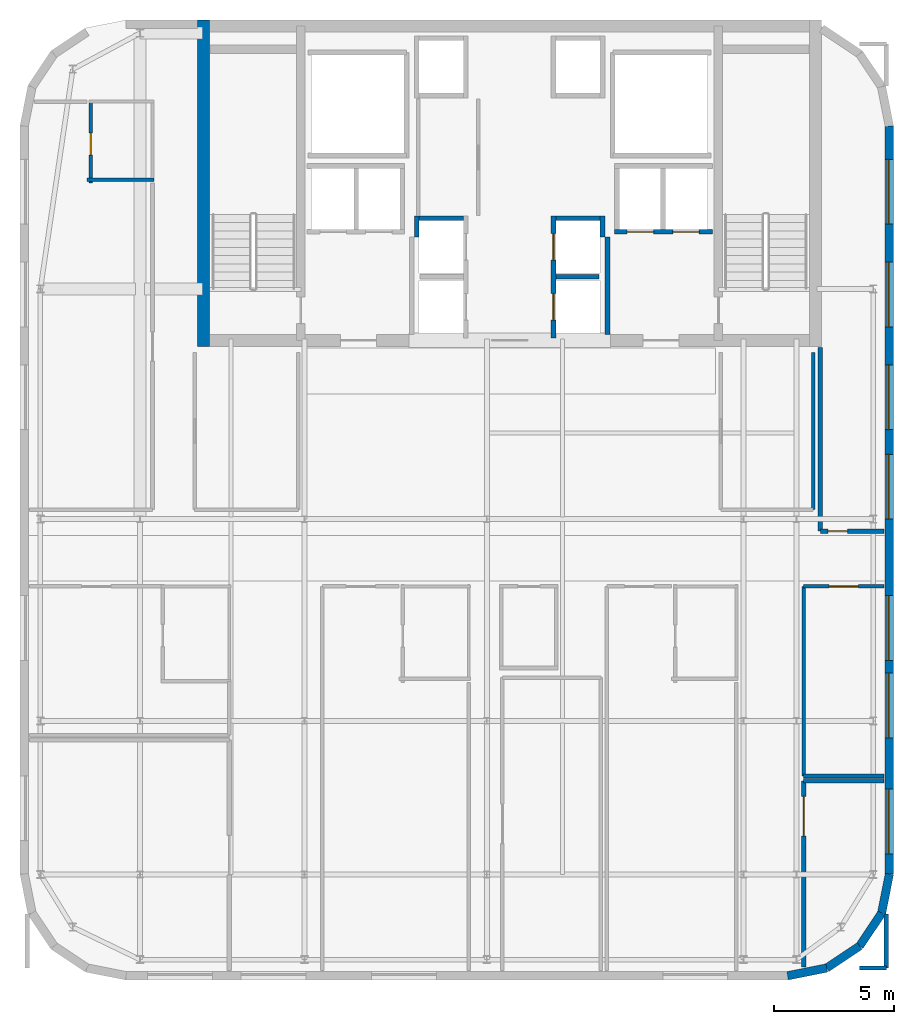
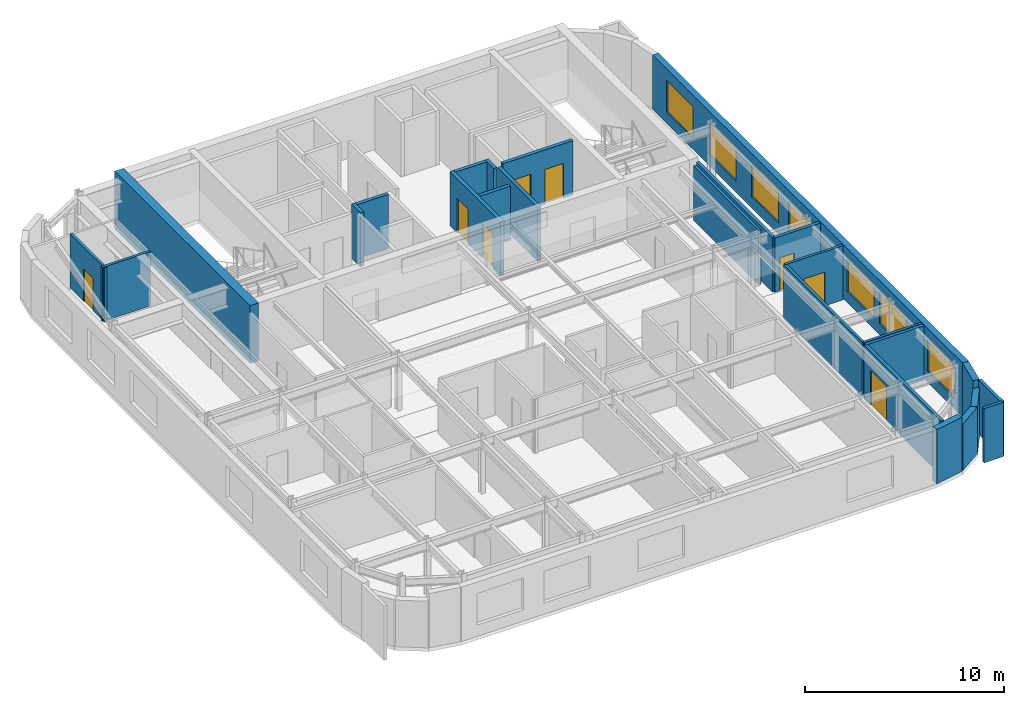
# One storey, part 8 of 12: 26 walls, 8 doors, 7 windows, 15 openings.
"""IFC4 building model written with IfcOpenShell, lengths in metres."""

from ifc_helpers import new_model, si_unit, direction, frame, frame_2d, origin, place, context, subcontext, project, spatial, rectangle, extrude, source, transform, mapped, material, layer, layer_set, type_object, type_shapes, element, fill, save


model = new_model("IFC4")

# Units and contexts
model_context = context("Model", 3, precision=1e-05, world=origin(), true_north=direction((0.0, 1.0)))
body_context = subcontext(model_context, "Body", "Model", "MODEL_VIEW")
ifc_project = project(units=[si_unit("LENGTHUNIT", "METRE"), si_unit("AREAUNIT", "SQUARE_METRE"), si_unit("VOLUMEUNIT", "CUBIC_METRE"), si_unit("PLANEANGLEUNIT", "RADIAN"), si_unit("MASSUNIT", "GRAM", prefix="KILO")], contexts=[model_context])

# Site, building, storey
site_placement = place(None, origin())
site = spatial("IfcSite", under=ifc_project, at=site_placement, CompositionType="ELEMENT")
building_placement = place(site_placement, origin())
building = spatial("IfcBuilding", under=site, at=building_placement, Name="Tolvann Quenvar Hotel", CompositionType="ELEMENT")
storey_placement = place(building_placement, frame((0.0, 0.0, 275.050048828125)))
storey = spatial("IfcBuildingStorey", under=building, at=storey_placement, Name="L73", CompositionType="ELEMENT", Elevation=275.050048828125)

# Walls
ifc_material_1 = material(Name="Concrete N50 (50 MPa)", Category="concrete")
ifc_layer_1 = layer(ifc_material_1, 0.5)
ifc_layer_set_1 = layer_set([ifc_layer_1], Name="Concrete N50 (50 MPa)")
wall_type_1 = type_object("IfcWallType", Name="WALL_CORE_500", PredefinedType="SHEAR", material=ifc_layer_set_1)
wall_1_placement = place(storey_placement, frame((10.25, 31.60009765625, 0.0), z_axis=(0.0, 0.0, 1.0), x_axis=(0.0, 1.0, 0.0)))
element("IfcWall", 1, at=wall_1_placement, inside=storey, type_object=wall_type_1, Name="Rear Core W Shear Wall (L73)", PredefinedType="SHEAR", context=body_context, shape_type="SweptSolid", body=[
    extrude(rectangle(XDim=13.599853515625, YDim=0.5, at=frame_2d((6.7998046875, 0.0))), origin(), (0.0, 0.0, 1.0), 3.550048828125),
])
ifc_material_2 = material(Name="Kiln-fired red and buff architectural clay brickwork and terracotta masonry", Category="masonry")
ifc_layer_2 = layer(ifc_material_2, 0.35009765625)
ifc_layer_set_2 = layer_set([ifc_layer_2], Name="Kiln-fired red and buff architectural clay brickwork and terracotta masonry")
wall_type_2 = type_object("IfcWallType", Name="WALL_EXT_BRICK_350", PredefinedType="SOLIDWALL", material=ifc_layer_set_2)
wall_2_placement = place(storey_placement, frame((34.582763671875, 5.375, 0.0), z_axis=(0.0, 0.0, 1.0), x_axis=(0.980794424524, 0.195044345786, 0.0)))
element("IfcWall", 2, at=wall_2_placement, inside=storey, type_object=wall_type_2, Name="Exterior Chicago Brick Wall L73-E05", PredefinedType="SOLIDWALL", context=body_context, shape_type="SweptSolid", body=[
    extrude(rectangle(XDim=1.664794921875, YDim=0.35009765625, at=frame_2d((0.83251953125, 0.0))), origin(), (0.0, 0.0, 1.0), 3.329833984375),
])
for number, where, z_axis, x_axis, name in (
    (3, (36.215576171875, 5.69970703125, 0.0), (0.0, 0.0, 1.0), (0.831434158098, 0.555623290322, 0.0), "Exterior Chicago Brick Wall L73-E06"),
    (4, (37.585205078125, 6.614990234375, 0.0), (0.0, 0.0, 1.0), (0.555520825599, 0.831502623162, 0.0), "Exterior Chicago Brick Wall L73-E07"),
):
    element("IfcWall", number, at=place(storey_placement, frame(where, z_axis=z_axis, x_axis=x_axis)), inside=storey, type_object=wall_type_2, Name=name, PredefinedType="SOLIDWALL", context=body_context, shape_type="SweptSolid", body=[
        extrude(rectangle(XDim=1.647216796875, YDim=0.35009765625, at=frame_2d((0.82373046875, 0.0))), origin(), (0.0, 0.0, 1.0), 2.85986328125),
    ])
wall_3_placement = place(storey_placement, frame((38.500244140625, 7.984619140625, 0.0), z_axis=(0.0, 0.0, 1.0), x_axis=(0.195072403631, 0.980788844421, 0.0)))
element("IfcWall", 5, at=wall_3_placement, inside=storey, type_object=wall_type_2, Name="Exterior Chicago Brick Wall L73-E08", PredefinedType="SOLIDWALL", context=body_context, shape_type="SweptSolid", body=[
    extrude(rectangle(XDim=1.66455078125, YDim=0.35009765625, at=frame_2d((0.832275390625, 0.0))), origin(), (0.0, 0.0, 1.0), 3.329833984375),
])

# Wall, openings, windows
wall_4_placement = place(storey_placement, frame((38.824951171875, 9.6171875, 0.0), z_axis=(0.0, 0.0, 1.0), x_axis=(0.0, 1.0, 0.0)))
wall_4 = element("IfcWall", 6, at=wall_4_placement, inside=storey, type_object=wall_type_2, Name="Exterior Chicago Brick Wall L73-E09", PredefinedType="SOLIDWALL", context=body_context, shape_type="SweptSolid", body=[
    extrude(rectangle(XDim=31.16552734375, YDim=0.35009765625, at=frame_2d((15.582763671875, 0.0))), origin(), (0.0, 0.0, 1.0), 3.329833984375),
])
opening_1_placement = place(wall_4_placement, frame((0.840087890625, 0.0, 0.679931640625)))
opening_1 = element("IfcOpeningElement", 7, at=opening_1_placement, cuts=wall_4, Name="Opening W-04", PredefinedType="OPENING", context=body_context, shape_type="SweptSolid", body=[
    extrude(rectangle(XDim=2.699951171875, YDim=1.949951171875, at=frame_2d((1.35009765625, 0.97509765625))), frame((0.0, 0.18505859375, 0.0), z_axis=(0.0, -1.0, 0.0), x_axis=(1.0, 0.0, 0.0)), (0.0, 0.0, 1.0), 0.3701171875),
])
opening_2_placement = place(wall_4_placement, frame((5.6708984375, 0.0, 0.679931640625)))
opening_2 = element("IfcOpeningElement", 8, at=opening_2_placement, cuts=wall_4, Name="Opening W-04", PredefinedType="OPENING", context=body_context, shape_type="SweptSolid", body=[
    extrude(rectangle(XDim=2.699951171875, YDim=1.949951171875, at=frame_2d((1.35009765625, 0.97509765625))), frame((0.0, 0.18505859375, 0.0), z_axis=(0.0, -1.0, 0.0), x_axis=(1.0, 0.0, 0.0)), (0.0, 0.0, 1.0), 0.3701171875),
])
opening_3_placement = place(wall_4_placement, frame((8.902099609375, 0.0, 0.679931640625)))
opening_3 = element("IfcOpeningElement", 9, at=opening_3_placement, cuts=wall_4, Name="Opening W-04", PredefinedType="OPENING", context=body_context, shape_type="SweptSolid", body=[
    extrude(rectangle(XDim=2.699951171875, YDim=1.949951171875, at=frame_2d((1.35009765625, 0.97509765625))), frame((0.0, 0.18505859375, 0.0), z_axis=(0.0, -1.0, 0.0), x_axis=(1.0, 0.0, 0.0)), (0.0, 0.0, 1.0), 0.3701171875),
])
opening_4_placement = place(wall_4_placement, frame((14.782958984375, 0.0, 0.679931640625)))
opening_4 = element("IfcOpeningElement", 10, at=opening_4_placement, cuts=wall_4, Name="Opening W-04", PredefinedType="OPENING", context=body_context, shape_type="SweptSolid", body=[
    extrude(rectangle(XDim=2.699951171875, YDim=1.949951171875, at=frame_2d((1.35009765625, 0.97509765625))), frame((0.0, 0.18505859375, 0.0), z_axis=(0.0, -1.0, 0.0), x_axis=(1.0, 0.0, 0.0)), (0.0, 0.0, 1.0), 0.3701171875),
])
opening_5_placement = place(wall_4_placement, frame((18.513916015625, 0.0, 0.679931640625)))
opening_5 = element("IfcOpeningElement", 11, at=opening_5_placement, cuts=wall_4, Name="Opening W-04", PredefinedType="OPENING", context=body_context, shape_type="SweptSolid", body=[
    extrude(rectangle(XDim=2.699951171875, YDim=1.949951171875, at=frame_2d((1.35009765625, 0.97509765625))), frame((0.0, 0.18505859375, 0.0), z_axis=(0.0, -1.0, 0.0), x_axis=(1.0, 0.0, 0.0)), (0.0, 0.0, 1.0), 0.3701171875),
])
opening_6_placement = place(wall_4_placement, frame((22.7939453125, 0.0, 0.679931640625)))
opening_6 = element("IfcOpeningElement", 12, at=opening_6_placement, cuts=wall_4, Name="Opening W-04", PredefinedType="OPENING", context=body_context, shape_type="SweptSolid", body=[
    extrude(rectangle(XDim=2.699951171875, YDim=1.949951171875, at=frame_2d((1.35009765625, 0.97509765625))), frame((0.0, 0.18505859375, 0.0), z_axis=(0.0, -1.0, 0.0), x_axis=(1.0, 0.0, 0.0)), (0.0, 0.0, 1.0), 0.3701171875),
])
opening_7_placement = place(wall_4_placement, frame((27.074951171875, 0.0, 0.679931640625)))
opening_7 = element("IfcOpeningElement", 13, at=opening_7_placement, cuts=wall_4, Name="Opening W-04", PredefinedType="OPENING", context=body_context, shape_type="SweptSolid", body=[
    extrude(rectangle(XDim=2.699951171875, YDim=1.949951171875, at=frame_2d((1.35009765625, 0.97509765625))), frame((0.0, 0.18505859375, 0.0), z_axis=(0.0, -1.0, 0.0), x_axis=(1.0, 0.0, 0.0)), (0.0, 0.0, 1.0), 0.3701171875),
])
ifc_material_3 = material(Name="Thermally broken bronze-anodised aluminium frame with double low-E glazing", Category="aluminium")
window_type = type_object("IfcWindowType", Name="WIN_STE_2700x2150", PartitioningType="TRIPLE_PANEL_HORIZONTAL", PredefinedType="WINDOW", material=ifc_material_3)
shared_shape_1 = source(origin(), body_context, "Body", "SweptSolid", [
    extrude(rectangle(XDim=2.699951171875, YDim=1.949951171875, at=frame_2d((1.35009765625, 0.97509765625))), frame((0.0, 0.090087890625, 0.0), z_axis=(0.0, -1.0, 0.0), x_axis=(1.0, 0.0, 0.0)), (0.0, 0.0, 1.0), 0.06005859375),
])
type_shapes(window_type, [shared_shape_1])
window_1_placement = place(opening_1_placement, origin())
window_1 = element("IfcWindow", 14, at=window_1_placement, inside=storey, type_object=window_type, Name="Chicago Window W-04 (EW-L73-E09-W01)", OverallHeight=1.949951171875, OverallWidth=2.699951171875, PartitioningType="TRIPLE_PANEL_HORIZONTAL", PredefinedType="WINDOW", context=body_context, shape_type="MappedRepresentation", body=[
    mapped(shared_shape_1, transform((0.0, 0.0, 0.0), x_axis=(1.0, 0.0, 0.0), y_axis=(0.0, 1.0, 0.0), z_axis=(0.0, 0.0, 1.0), scale=1.0)),
])
fill(opening_1, window_1)
window_2_placement = place(opening_2_placement, origin())
window_2 = element("IfcWindow", 15, at=window_2_placement, inside=storey, type_object=window_type, Name="Chicago Window W-04 (EW-L73-E09-W02)", OverallHeight=1.949951171875, OverallWidth=2.699951171875, PartitioningType="TRIPLE_PANEL_HORIZONTAL", PredefinedType="WINDOW", context=body_context, shape_type="MappedRepresentation", body=[
    mapped(shared_shape_1, transform((0.0, 0.0, 0.0), x_axis=(1.0, 0.0, 0.0), y_axis=(0.0, 1.0, 0.0), z_axis=(0.0, 0.0, 1.0), scale=1.0)),
])
fill(opening_2, window_2)
window_3_placement = place(opening_3_placement, origin())
window_3 = element("IfcWindow", 16, at=window_3_placement, inside=storey, type_object=window_type, Name="Chicago Window W-04 (EW-L73-E09-W03)", OverallHeight=1.949951171875, OverallWidth=2.699951171875, PartitioningType="TRIPLE_PANEL_HORIZONTAL", PredefinedType="WINDOW", context=body_context, shape_type="MappedRepresentation", body=[
    mapped(shared_shape_1, transform((0.0, 0.0, 0.0), x_axis=(1.0, 0.0, 0.0), y_axis=(0.0, 1.0, 0.0), z_axis=(0.0, 0.0, 1.0), scale=1.0)),
])
fill(opening_3, window_3)
window_4_placement = place(opening_4_placement, origin())
window_4 = element("IfcWindow", 17, at=window_4_placement, inside=storey, type_object=window_type, Name="Chicago Window W-04 (EW-L73-E09-W04)", OverallHeight=1.949951171875, OverallWidth=2.699951171875, PartitioningType="TRIPLE_PANEL_HORIZONTAL", PredefinedType="WINDOW", context=body_context, shape_type="MappedRepresentation", body=[
    mapped(shared_shape_1, transform((0.0, 0.0, 0.0), x_axis=(1.0, 0.0, 0.0), y_axis=(0.0, 1.0, 0.0), z_axis=(0.0, 0.0, 1.0), scale=1.0)),
])
fill(opening_4, window_4)
window_5_placement = place(opening_5_placement, origin())
window_5 = element("IfcWindow", 18, at=window_5_placement, inside=storey, type_object=window_type, Name="Chicago Window W-04 (EW-L73-E09-W05)", OverallHeight=1.949951171875, OverallWidth=2.699951171875, PartitioningType="TRIPLE_PANEL_HORIZONTAL", PredefinedType="WINDOW", context=body_context, shape_type="MappedRepresentation", body=[
    mapped(shared_shape_1, transform((0.0, 0.0, 0.0), x_axis=(1.0, 0.0, 0.0), y_axis=(0.0, 1.0, 0.0), z_axis=(0.0, 0.0, 1.0), scale=1.0)),
])
fill(opening_5, window_5)
window_6_placement = place(opening_6_placement, origin())
window_6 = element("IfcWindow", 19, at=window_6_placement, inside=storey, type_object=window_type, Name="Chicago Window W-04 (EW-L73-E09-W06)", OverallHeight=1.949951171875, OverallWidth=2.699951171875, PartitioningType="TRIPLE_PANEL_HORIZONTAL", PredefinedType="WINDOW", context=body_context, shape_type="MappedRepresentation", body=[
    mapped(shared_shape_1, transform((0.0, 0.0, 0.0), x_axis=(1.0, 0.0, 0.0), y_axis=(0.0, 1.0, 0.0), z_axis=(0.0, 0.0, 1.0), scale=1.0)),
])
fill(opening_6, window_6)
window_7_placement = place(opening_7_placement, origin())
window_7 = element("IfcWindow", 20, at=window_7_placement, inside=storey, type_object=window_type, Name="Chicago Window W-04 (EW-L73-E09-W07)", OverallHeight=1.949951171875, OverallWidth=2.699951171875, PartitioningType="TRIPLE_PANEL_HORIZONTAL", PredefinedType="WINDOW", context=body_context, shape_type="MappedRepresentation", body=[
    mapped(shared_shape_1, transform((0.0, 0.0, 0.0), x_axis=(1.0, 0.0, 0.0), y_axis=(0.0, 1.0, 0.0), z_axis=(0.0, 0.0, 1.0), scale=1.0)),
])
fill(opening_7, window_7)

# Walls
ifc_material_4 = material(Name="Acoustic twin-stud fire-rated gypsum plasterboard partition")
ifc_layer_3 = layer(ifc_material_4, 0.179931640625)
ifc_layer_set_3 = layer_set([ifc_layer_3], Name="Acoustic twin-stud fire-rated gypsum plasterboard partition")
wall_type_3 = type_object("IfcWallType", Name="WALL_PART_ACOUSTIC_180", PredefinedType="PARTITIONING", material=ifc_layer_set_3)
wall_5_placement = place(storey_placement, frame((37.5849609375, 5.699951171875, 0.0), z_axis=(0.0, 0.0, 1.0), x_axis=(1.0, 0.0, 0.0)))
element("IfcWall", 21, at=wall_5_placement, inside=storey, type_object=wall_type_3, Name="Interior Partition PT-SPC-L73-PSE-STD-S", PredefinedType="PARTITIONING", context=body_context, shape_type="SweptSolid", body=[
    extrude(rectangle(XDim=1.114990234375, YDim=0.179931640625, at=frame_2d((0.5576171875, 0.0))), origin(), (0.0, 0.0, 1.0), 3.329833984375),
])
wall_6_placement = place(storey_placement, frame((35.25, 13.5, 0.0), z_axis=(0.0, 0.0, 1.0), x_axis=(1.0, 0.0, 0.0)))
element("IfcWall", 22, at=wall_6_placement, inside=storey, type_object=wall_type_3, Name="Interior Partition PT-SPC-L73-PSE-STD-N", PredefinedType="PARTITIONING", context=body_context, shape_type="SweptSolid", body=[
    extrude(rectangle(XDim=3.344970703125, YDim=0.179931640625, at=frame_2d((1.67236328125, 0.0))), origin(), (0.0, 0.0, 1.0), 3.329833984375),
])

# Wall, opening, door
wall_7_placement = place(storey_placement, frame((35.25, 5.741943359375, 0.0), z_axis=(0.0, 0.0, 1.0), x_axis=(0.0, 1.0, 0.0)))
wall_7 = element("IfcWall", 23, at=wall_7_placement, inside=storey, type_object=wall_type_3, Name="Interior Partition PT-SPC-L73-PSE-STD-W", PredefinedType="PARTITIONING", context=body_context, shape_type="SweptSolid", body=[
    extrude(rectangle(XDim=7.758056640625, YDim=0.179931640625, at=frame_2d((3.87890625, 0.0))), origin(), (0.0, 0.0, 1.0), 3.329833984375),
])
opening_8_placement = place(wall_7_placement, frame((5.4541015625, 0.0, 0.0)))
opening_8 = element("IfcOpeningElement", 24, at=opening_8_placement, cuts=wall_7, Name="Opening AD-01", PredefinedType="OPENING", context=body_context, shape_type="SweptSolid", body=[
    extrude(rectangle(XDim=1.64990234375, YDim=2.14990234375, at=frame_2d((0.824951171875, 1.074951171875))), frame((0.0, 0.10009765625, 0.0), z_axis=(0.0, -1.0, 0.0), x_axis=(1.0, 0.0, 0.0)), (0.0, 0.0, 1.0), 0.199951171875),
])
ifc_material_5 = material(Name="Solid-core American oak acoustic fire door leaf in steel frame", Category="steel")
door_type_1 = type_object("IfcDoorType", Name="DOOR_SALON_1650", OperationType="NOTDEFINED", PredefinedType="DOOR", material=ifc_material_5)
shared_shape_2 = source(origin(), body_context, "Body", "SweptSolid", [
    extrude(rectangle(XDim=1.64990234375, YDim=2.14990234375, at=frame_2d((0.824951171875, 1.074951171875))), frame((0.0, 0.02490234375, 0.0), z_axis=(0.0, -1.0, 0.0), x_axis=(1.0, 0.0, 0.0)), (0.0, 0.0, 1.0), 0.050048828125),
])
type_shapes(door_type_1, [shared_shape_2])
door_1_placement = place(opening_8_placement, origin())
door_1 = element("IfcDoor", 25, at=door_1_placement, inside=storey, type_object=door_type_1, Name="Interior Door DOOR-SPC-L73-PSE-STD", OperationType="DOUBLE_DOOR_SINGLE_SWING", OverallHeight=2.14990234375, OverallWidth=1.64990234375, PredefinedType="DOOR", context=body_context, shape_type="MappedRepresentation", body=[
    mapped(shared_shape_2, transform((0.0, 0.0, 0.0), x_axis=(1.0, 0.0, 0.0), y_axis=(0.0, 1.0, 0.0), z_axis=(0.0, 0.0, 1.0), scale=1.0)),
])
fill(opening_8, door_1)

# Wall
wall_8_placement = place(storey_placement, frame((38.699951171875, 5.699951171875, 0.0), z_axis=(0.0, 0.0, 1.0), x_axis=(0.0, 1.0, 0.0)))
element("IfcWall", 26, at=wall_8_placement, inside=storey, type_object=wall_type_3, Name="Interior Partition PT-SPC-L73-PSE-STD-E", PredefinedType="PARTITIONING", context=body_context, shape_type="SweptSolid", body=[
    extrude(rectangle(XDim=2.2451171875, YDim=0.179931640625, at=frame_2d((1.12255859375, 0.0))), origin(), (0.0, 0.0, 1.0), 3.329833984375),
])

# Wall, opening, door
wall_9_placement = place(storey_placement, frame((35.949951171875, 23.89990234375, 0.0), z_axis=(0.0, 0.0, 1.0), x_axis=(1.0, 0.0, 0.0)))
wall_9 = element("IfcWall", 27, at=wall_9_placement, inside=storey, type_object=wall_type_3, Name="Interior Partition PT-SPC-L73-LNGE-S", PredefinedType="PARTITIONING", context=body_context, shape_type="SweptSolid", body=[
    extrude(rectangle(XDim=2.64501953125, YDim=0.179931640625, at=frame_2d((1.322509765625, 0.0))), origin(), (0.0, 0.0, 1.0), 3.329833984375),
])
opening_9_placement = place(wall_9_placement, frame((0.3125, 0.0, 0.0)))
opening_9 = element("IfcOpeningElement", 28, at=opening_9_placement, cuts=wall_9, Name="Opening HD-02", PredefinedType="OPENING", context=body_context, shape_type="SweptSolid", body=[
    extrude(rectangle(XDim=0.820068359375, YDim=2.010009765625, at=frame_2d((0.41015625, 1.0048828125))), frame((0.0, 0.10009765625, 0.0), z_axis=(0.0, -1.0, 0.0), x_axis=(1.0, 0.0, 0.0)), (0.0, 0.0, 1.0), 0.199951171875),
])
ifc_material_6 = material(Name="Pressed galvanised steel fire-rated door set", Category="steel")
door_type_2 = type_object("IfcDoorType", Name="DOOR_STORE_820", OperationType="NOTDEFINED", PredefinedType="DOOR", material=ifc_material_6)
shared_shape_3 = source(origin(), body_context, "Body", "SweptSolid", [
    extrude(rectangle(XDim=0.820068359375, YDim=2.010009765625, at=frame_2d((0.41015625, 1.0048828125))), frame((0.0, 0.02490234375, 0.0), z_axis=(0.0, -1.0, 0.0), x_axis=(1.0, 0.0, 0.0)), (0.0, 0.0, 1.0), 0.050048828125),
])
type_shapes(door_type_2, [shared_shape_3])
door_2_placement = place(opening_9_placement, origin())
door_2 = element("IfcDoor", 29, at=door_2_placement, inside=storey, type_object=door_type_2, Name="Interior Door DOOR-SPC-L73-LNGE", OperationType="SINGLE_SWING_RIGHT", OverallHeight=2.010009765625, OverallWidth=0.820068359375, PredefinedType="DOOR", context=body_context, shape_type="MappedRepresentation", body=[
    mapped(shared_shape_3, transform((0.0, 0.0, 0.0), x_axis=(1.0, 0.0, 0.0), y_axis=(0.0, 1.0, 0.0), z_axis=(0.0, 0.0, 1.0), scale=1.0)),
])
fill(opening_9, door_2)

# Wall
wall_10_placement = place(storey_placement, frame((35.949951171875, 23.89990234375, 0.0), z_axis=(0.0, 0.0, 1.0), x_axis=(0.0, 1.0, 0.0)))
element("IfcWall", 30, at=wall_10_placement, inside=storey, type_object=wall_type_3, Name="Interior Partition PT-SPC-L73-LNGE-W", PredefinedType="PARTITIONING", context=body_context, shape_type="SweptSolid", body=[
    extrude(rectangle(XDim=7.64501953125, YDim=0.179931640625, at=frame_2d((3.822509765625, 0.0))), origin(), (0.0, 0.0, 1.0), 3.329833984375),
])

# Wall, opening, door
ifc_layer_4 = layer(ifc_material_4, 0.14990234375)
ifc_layer_set_4 = layer_set([ifc_layer_4], Name="Acoustic twin-stud fire-rated gypsum plasterboard partition")
wall_type_4 = type_object("IfcWallType", Name="WALL_PART_SUITE_150", PredefinedType="PARTITIONING", material=ifc_layer_set_4)
wall_11_placement = place(storey_placement, frame((5.550048828125, 38.39990234375, 0.0), z_axis=(0.0, 0.0, 1.0), x_axis=(0.0, 1.0, 0.0)))
wall_11 = element("IfcWall", 31, at=wall_11_placement, inside=storey, type_object=wall_type_4, Name="Interior Partition PT-SPC-L73-NW-ENS-ENT", PredefinedType="PARTITIONING", context=body_context, shape_type="SweptSolid", body=[
    extrude(rectangle(XDim=3.47021484375, YDim=0.14990234375, at=frame_2d((1.735107421875, 0.0))), origin(), (0.0, 0.0, 1.0), 3.329833984375),
])
opening_10_placement = place(wall_11_placement, frame((1.1650390625, 0.0, 0.0)))
opening_10 = element("IfcOpeningElement", 32, at=opening_10_placement, cuts=wall_11, Name="Opening WD-01", PredefinedType="OPENING", context=body_context, shape_type="SweptSolid", body=[
    extrude(rectangle(XDim=0.919921875, YDim=2.010009765625, at=frame_2d((0.4599609375, 1.0048828125))), frame((0.0, 0.0849609375, 0.0), z_axis=(0.0, -1.0, 0.0), x_axis=(1.0, 0.0, 0.0)), (0.0, 0.0, 1.0), 0.169921875),
])
door_type_3 = type_object("IfcDoorType", Name="DOOR_WC_920", OperationType="NOTDEFINED", PredefinedType="DOOR", material=ifc_material_5)
shared_shape_4 = source(origin(), body_context, "Body", "SweptSolid", [
    extrude(rectangle(XDim=0.919921875, YDim=2.010009765625, at=frame_2d((0.4599609375, 1.0048828125))), frame((0.0, 0.02490234375, 0.0), z_axis=(0.0, -1.0, 0.0), x_axis=(1.0, 0.0, 0.0)), (0.0, 0.0, 1.0), 0.050048828125),
])
type_shapes(door_type_3, [shared_shape_4])
door_3_placement = place(opening_10_placement, origin())
door_3 = element("IfcDoor", 33, at=door_3_placement, inside=storey, type_object=door_type_3, Name="Interior Door DOOR-SPC-L73-NW-ENS", OperationType="SINGLE_SWING_RIGHT", OverallHeight=2.010009765625, OverallWidth=0.919921875, PredefinedType="DOOR", context=body_context, shape_type="MappedRepresentation", body=[
    mapped(shared_shape_4, transform((0.0, 0.0, 0.0), x_axis=(1.0, 0.0, 0.0), y_axis=(0.0, 1.0, 0.0), z_axis=(0.0, 0.0, 1.0), scale=1.0)),
])
fill(opening_10, door_3)

# Walls
wall_12_placement = place(storey_placement, frame((5.39990234375, 38.550048828125, 0.0), z_axis=(0.0, 0.0, 1.0), x_axis=(1.0, 0.0, 0.0)))
element("IfcWall", 34, at=wall_12_placement, inside=storey, type_object=wall_type_4, Name="Interior Partition PT-SPC-L73-NW-ENS-S", PredefinedType="PARTITIONING", context=body_context, shape_type="SweptSolid", body=[
    extrude(rectangle(XDim=2.7900390625, YDim=0.14990234375, at=frame_2d((1.39501953125, 0.0))), origin(), (0.0, 0.0, 1.0), 3.329833984375),
])
wall_13_placement = place(storey_placement, frame((35.25, 13.699951171875, 0.0), z_axis=(0.0, 0.0, 1.0), x_axis=(1.0, 0.0, 0.0)))
element("IfcWall", 35, at=wall_13_placement, inside=storey, type_object=wall_type_4, Name="Interior Partition PT-SPC-L73-PSE-DRS-S", PredefinedType="PARTITIONING", context=body_context, shape_type="SweptSolid", body=[
    extrude(rectangle(XDim=3.344970703125, YDim=0.14990234375, at=frame_2d((1.67236328125, 0.0))), origin(), (0.0, 0.0, 1.0), 3.329833984375),
])

# Wall, opening, door
wall_14_placement = place(storey_placement, frame((35.25, 21.60009765625, 0.0), z_axis=(0.0, 0.0, 1.0), x_axis=(1.0, 0.0, 0.0)))
wall_14 = element("IfcWall", 36, at=wall_14_placement, inside=storey, type_object=wall_type_4, Name="Interior Partition PT-SPC-L73-PSE-DRS-N", PredefinedType="PARTITIONING", context=body_context, shape_type="SweptSolid", body=[
    extrude(rectangle(XDim=3.344970703125, YDim=0.14990234375, at=frame_2d((1.67236328125, 0.0))), origin(), (0.0, 0.0, 1.0), 3.329833984375),
])
opening_11_placement = place(wall_14_placement, frame((1.0625, 0.0, 0.0)))
opening_11 = element("IfcOpeningElement", 37, at=opening_11_placement, cuts=wall_14, Name="Opening SD-02", PredefinedType="OPENING", context=body_context, shape_type="SweptSolid", body=[
    extrude(rectangle(XDim=1.219970703125, YDim=2.080078125, at=frame_2d((0.60986328125, 1.0400390625))), frame((0.0, 0.0849609375, 0.0), z_axis=(0.0, -1.0, 0.0), x_axis=(1.0, 0.0, 0.0)), (0.0, 0.0, 1.0), 0.169921875),
])
door_type_4 = type_object("IfcDoorType", Name="DOOR_VIP_1220", OperationType="NOTDEFINED", PredefinedType="DOOR", material=ifc_material_5)
shared_shape_5 = source(origin(), body_context, "Body", "SweptSolid", [
    extrude(rectangle(XDim=1.219970703125, YDim=2.080078125, at=frame_2d((0.60986328125, 1.0400390625))), frame((0.0, 0.02490234375, 0.0), z_axis=(0.0, -1.0, 0.0), x_axis=(1.0, 0.0, 0.0)), (0.0, 0.0, 1.0), 0.050048828125),
])
type_shapes(door_type_4, [shared_shape_5])
door_4_placement = place(opening_11_placement, origin())
door_4 = element("IfcDoor", 38, at=door_4_placement, inside=storey, type_object=door_type_4, Name="Interior Door DOOR-SPC-L73-PSE-DRS", OperationType="SINGLE_SWING_LEFT", OverallHeight=2.080078125, OverallWidth=1.219970703125, PredefinedType="DOOR", context=body_context, shape_type="MappedRepresentation", body=[
    mapped(shared_shape_5, transform((0.0, 0.0, 0.0), x_axis=(1.0, 0.0, 0.0), y_axis=(0.0, 1.0, 0.0), z_axis=(0.0, 0.0, 1.0), scale=1.0)),
])
fill(opening_11, door_4)

# Walls
wall_15_placement = place(storey_placement, frame((35.25, 13.699951171875, 0.0), z_axis=(0.0, 0.0, 1.0), x_axis=(0.0, 1.0, 0.0)))
element("IfcWall", 39, at=wall_15_placement, inside=storey, type_object=wall_type_4, Name="Interior Partition PT-SPC-L73-PSE-DRS-W", PredefinedType="PARTITIONING", context=body_context, shape_type="SweptSolid", body=[
    extrude(rectangle(XDim=7.900146484375, YDim=0.14990234375, at=frame_2d((3.9501953125, 0.0))), origin(), (0.0, 0.0, 1.0), 3.329833984375),
])
wall_16_placement = place(storey_placement, frame((35.64990234375, 24.800048828125, 0.0), z_axis=(0.0, 0.0, 1.0), x_axis=(0.0, 1.0, 0.0)))
element("IfcWall", 40, at=wall_16_placement, inside=storey, type_object=wall_type_4, Name="Interior Partition PT-SPC-L73-HSK-E", PredefinedType="PARTITIONING", context=body_context, shape_type="SweptSolid", body=[
    extrude(rectangle(XDim=6.550048828125, YDim=0.14990234375, at=frame_2d((3.27490234375, 0.0))), origin(), (0.0, 0.0, 1.0), 3.329833984375),
])
ifc_material_7 = material(Name="Concrete N40 (40 MPa)", Category="concrete")
ifc_layer_5 = layer(ifc_material_7, 0.199951171875)
ifc_layer_set_5 = layer_set([ifc_layer_5], Name="Concrete N40 (40 MPa)")
wall_type_5 = type_object("IfcWallType", Name="WALL_SHAFT_200", PredefinedType="SOLIDWALL", material=ifc_layer_set_5)
wall_17_placement = place(storey_placement, frame((27.080078125, 32.10400390625, 0.0), z_axis=(0.0, 0.0, 1.0), x_axis=(0.0, 1.0, 0.0)))
element("IfcWall", 41, at=wall_17_placement, inside=storey, type_object=wall_type_5, Name="Firefighting Lobby E Inner Fire Wall (L73)", PredefinedType="SOLIDWALL", context=body_context, shape_type="SweptSolid", body=[
    extrude(rectangle(XDim=4.0458984375, YDim=0.199951171875, at=frame_2d((2.02294921875, 0.0))), origin(), (0.0, 0.0, 1.0), 3.329833984375),
])
wall_18_placement = place(storey_placement, frame((19.1298828125, 36.159912109375, 0.0), z_axis=(0.0, 0.0, 1.0), x_axis=(0.0, 1.0, 0.0)))
element("IfcWall", 42, at=wall_18_placement, inside=storey, type_object=wall_type_5, Name="Lift Bank E21.1C1 Hoistway Rear Wall (L73)", PredefinedType="SOLIDWALL", context=body_context, shape_type="SweptSolid", body=[
    extrude(rectangle(XDim=0.880126953125, YDim=0.199951171875, at=frame_2d((0.43994140625, 0.0))), origin(), (0.0, 0.0, 1.0), 3.329833984375),
])
wall_19_placement = place(storey_placement, frame((19.22998046875, 36.93994140625, 0.0), z_axis=(0.0, 0.0, 1.0), x_axis=(1.0, 0.0, 0.0)))
element("IfcWall", 43, at=wall_19_placement, inside=storey, type_object=wall_type_5, Name="Lift Bank E21.1C1 Hoistway Cheek Wall 2 (L73)", PredefinedType="SOLIDWALL", context=body_context, shape_type="SweptSolid", body=[
    extrude(rectangle(XDim=1.840087890625, YDim=0.199951171875, at=frame_2d((0.919921875, 0.0))), origin(), (0.0, 0.0, 1.0), 3.329833984375),
])

# Wall, openings, doors
wall_20_placement = place(storey_placement, frame((27.375, 36.3798828125, 0.0), z_axis=(0.0, 0.0, 1.0), x_axis=(1.0, 0.0, 0.0)))
wall_20 = element("IfcWall", 44, at=wall_20_placement, inside=storey, type_object=wall_type_5, Name="Lift Bank SEC1 Hoistway Front Wall (L73)", PredefinedType="SOLIDWALL", context=body_context, shape_type="SweptSolid", body=[
    extrude(rectangle(XDim=4.074951171875, YDim=0.199951171875, at=frame_2d((2.03759765625, 0.0))), origin(), (0.0, 0.0, 1.0), 3.329833984375),
])
opening_12_placement = place(wall_20_placement, frame((0.52490234375, 0.0, 0.0)))
opening_12 = element("IfcOpeningElement", 45, at=opening_12_placement, cuts=wall_20, Name="Opening LD-01", PredefinedType="OPENING", context=body_context, shape_type="SweptSolid", body=[
    extrude(rectangle(XDim=1.10009765625, YDim=2.1201171875, at=frame_2d((0.550048828125, 1.06005859375))), frame((0.0, 0.10986328125, 0.0), z_axis=(0.0, -1.0, 0.0), x_axis=(1.0, 0.0, 0.0)), (0.0, 0.0, 1.0), 0.219970703125),
])
opening_13_placement = place(wall_20_placement, frame((2.425048828125, 0.0, 0.0)))
opening_13 = element("IfcOpeningElement", 46, at=opening_13_placement, cuts=wall_20, Name="Opening LD-01", PredefinedType="OPENING", context=body_context, shape_type="SweptSolid", body=[
    extrude(rectangle(XDim=1.10009765625, YDim=2.1201171875, at=frame_2d((0.550048828125, 1.06005859375))), frame((0.0, 0.10986328125, 0.0), z_axis=(0.0, -1.0, 0.0), x_axis=(1.0, 0.0, 0.0)), (0.0, 0.0, 1.0), 0.219970703125),
])
ifc_material_8 = material(Name="Brushed 316 stainless steel automatic sliding lift landing door", Category="steel")
door_type_5 = type_object("IfcDoorType", Name="DOOR_LIFT_SLIDE_1100", OperationType="NOTDEFINED", PredefinedType="DOOR", material=ifc_material_8)
shared_shape_6 = source(origin(), body_context, "Body", "SweptSolid", [
    extrude(rectangle(XDim=1.10009765625, YDim=2.1201171875, at=frame_2d((0.550048828125, 1.06005859375))), frame((0.0, 0.02490234375, 0.0), z_axis=(0.0, -1.0, 0.0), x_axis=(1.0, 0.0, 0.0)), (0.0, 0.0, 1.0), 0.050048828125),
])
type_shapes(door_type_5, [shared_shape_6])
door_5_placement = place(opening_12_placement, origin())
door_5 = element("IfcDoor", 47, at=door_5_placement, inside=storey, type_object=door_type_5, Name="Lift SV-2 Sliding Landing Door (L73)", OperationType="SLIDING_TO_LEFT", OverallHeight=2.1201171875, OverallWidth=1.10009765625, PredefinedType="DOOR", context=body_context, shape_type="MappedRepresentation", body=[
    mapped(shared_shape_6, transform((0.0, 0.0, 0.0), x_axis=(1.0, 0.0, 0.0), y_axis=(0.0, 1.0, 0.0), z_axis=(0.0, 0.0, 1.0), scale=1.0)),
])
fill(opening_12, door_5)
door_6_placement = place(opening_13_placement, origin())
door_6 = element("IfcDoor", 48, at=door_6_placement, inside=storey, type_object=door_type_5, Name="Lift FF-2 Sliding Landing Door (L73)", OperationType="SLIDING_TO_RIGHT", OverallHeight=2.1201171875, OverallWidth=1.10009765625, PredefinedType="DOOR", context=body_context, shape_type="MappedRepresentation", body=[
    mapped(shared_shape_6, transform((0.0, 0.0, 0.0), x_axis=(1.0, 0.0, 0.0), y_axis=(0.0, 1.0, 0.0), z_axis=(0.0, 0.0, 1.0), scale=1.0)),
])
fill(opening_13, door_6)

wall_21_placement = place(storey_placement, frame((24.830078125, 31.9599609375, 0.0), z_axis=(0.0, 0.0, 1.0), x_axis=(0.0, 1.0, 0.0)))
wall_21 = element("IfcWall", 49, at=wall_21_placement, inside=storey, type_object=wall_type_5, Name="Lift Bank W24.9C1 Hoistway Front Wall (L73)", PredefinedType="SOLIDWALL", context=body_context, shape_type="SweptSolid", body=[
    extrude(rectangle(XDim=5.080078125, YDim=0.199951171875, at=frame_2d((2.5400390625, 0.0))), origin(), (0.0, 0.0, 1.0), 3.329833984375),
])
opening_14_placement = place(wall_21_placement, frame((0.739990234375, 0.0, 0.0)))
opening_14 = element("IfcOpeningElement", 50, at=opening_14_placement, cuts=wall_21, Name="Opening LD-01", PredefinedType="OPENING", context=body_context, shape_type="SweptSolid", body=[
    extrude(rectangle(XDim=1.10009765625, YDim=2.1201171875, at=frame_2d((0.550048828125, 1.06005859375))), frame((0.0, 0.10986328125, 0.0), z_axis=(0.0, -1.0, 0.0), x_axis=(1.0, 0.0, 0.0)), (0.0, 0.0, 1.0), 0.219970703125),
])
opening_15_placement = place(wall_21_placement, frame((3.239990234375, 0.0, 0.0)))
opening_15 = element("IfcOpeningElement", 51, at=opening_15_placement, cuts=wall_21, Name="Opening LD-01", PredefinedType="OPENING", context=body_context, shape_type="SweptSolid", body=[
    extrude(rectangle(XDim=1.10009765625, YDim=2.1201171875, at=frame_2d((0.550048828125, 1.06005859375))), frame((0.0, 0.10986328125, 0.0), z_axis=(0.0, -1.0, 0.0), x_axis=(1.0, 0.0, 0.0)), (0.0, 0.0, 1.0), 0.219970703125),
])
door_7_placement = place(opening_14_placement, origin())
door_7 = element("IfcDoor", 52, at=door_7_placement, inside=storey, type_object=door_type_5, Name="Lift PH-3 Sliding Landing Door (L73)", OperationType="SLIDING_TO_LEFT", OverallHeight=2.1201171875, OverallWidth=1.10009765625, PredefinedType="DOOR", context=body_context, shape_type="MappedRepresentation", body=[
    mapped(shared_shape_6, transform((0.0, 0.0, 0.0), x_axis=(1.0, 0.0, 0.0), y_axis=(0.0, 1.0, 0.0), z_axis=(0.0, 0.0, 1.0), scale=1.0)),
])
fill(opening_14, door_7)
door_8_placement = place(opening_15_placement, origin())
door_8 = element("IfcDoor", 53, at=door_8_placement, inside=storey, type_object=door_type_5, Name="Lift PH-4 Sliding Landing Door (L73)", OperationType="SLIDING_TO_RIGHT", OverallHeight=2.1201171875, OverallWidth=1.10009765625, PredefinedType="DOOR", context=body_context, shape_type="MappedRepresentation", body=[
    mapped(shared_shape_6, transform((0.0, 0.0, 0.0), x_axis=(1.0, 0.0, 0.0), y_axis=(0.0, 1.0, 0.0), z_axis=(0.0, 0.0, 1.0), scale=1.0)),
])
fill(opening_15, door_8)

# Walls
wall_22_placement = place(storey_placement, frame((26.8701171875, 36.159912109375, 0.0), z_axis=(0.0, 0.0, 1.0), x_axis=(0.0, 1.0, 0.0)))
element("IfcWall", 54, at=wall_22_placement, inside=storey, type_object=wall_type_5, Name="Lift Bank W24.9C1 Hoistway Rear Wall (L73)", PredefinedType="SOLIDWALL", context=body_context, shape_type="SweptSolid", body=[
    extrude(rectangle(XDim=0.880126953125, YDim=0.199951171875, at=frame_2d((0.43994140625, 0.0))), origin(), (0.0, 0.0, 1.0), 3.329833984375),
])
wall_23_placement = place(storey_placement, frame((24.929931640625, 36.93994140625, 0.0), z_axis=(0.0, 0.0, 1.0), x_axis=(1.0, 0.0, 0.0)))
element("IfcWall", 55, at=wall_23_placement, inside=storey, type_object=wall_type_5, Name="Lift Bank W24.9C1 Hoistway Cheek Wall 2 (L73)", PredefinedType="SOLIDWALL", context=body_context, shape_type="SweptSolid", body=[
    extrude(rectangle(XDim=1.840087890625, YDim=0.199951171875, at=frame_2d((0.919921875, 0.0))), origin(), (0.0, 0.0, 1.0), 3.329833984375),
])
wall_24_placement = place(storey_placement, frame((24.929931640625, 34.5, 0.0), z_axis=(0.0, 0.0, 1.0), x_axis=(1.0, 0.0, 0.0)))
element("IfcWall", 56, at=wall_24_placement, inside=storey, type_object=wall_type_5, Name="Lift Bank W24.9C1 Divider Wall 1 (L73)", PredefinedType="SOLIDWALL", context=body_context, shape_type="SweptSolid", body=[
    extrude(rectangle(XDim=1.800048828125, YDim=0.199951171875, at=frame_2d((0.89990234375, 0.0))), origin(), (0.0, 0.0, 1.0), 3.329833984375),
])

save(model, "model.ifc")
